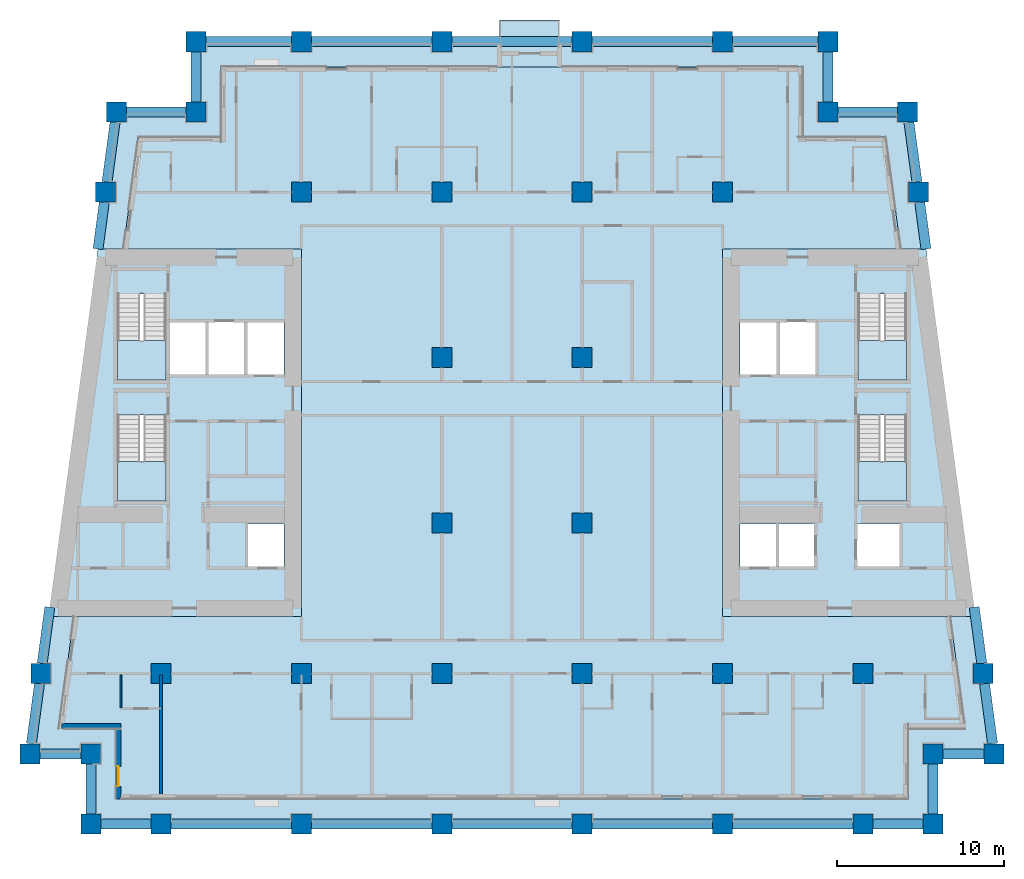
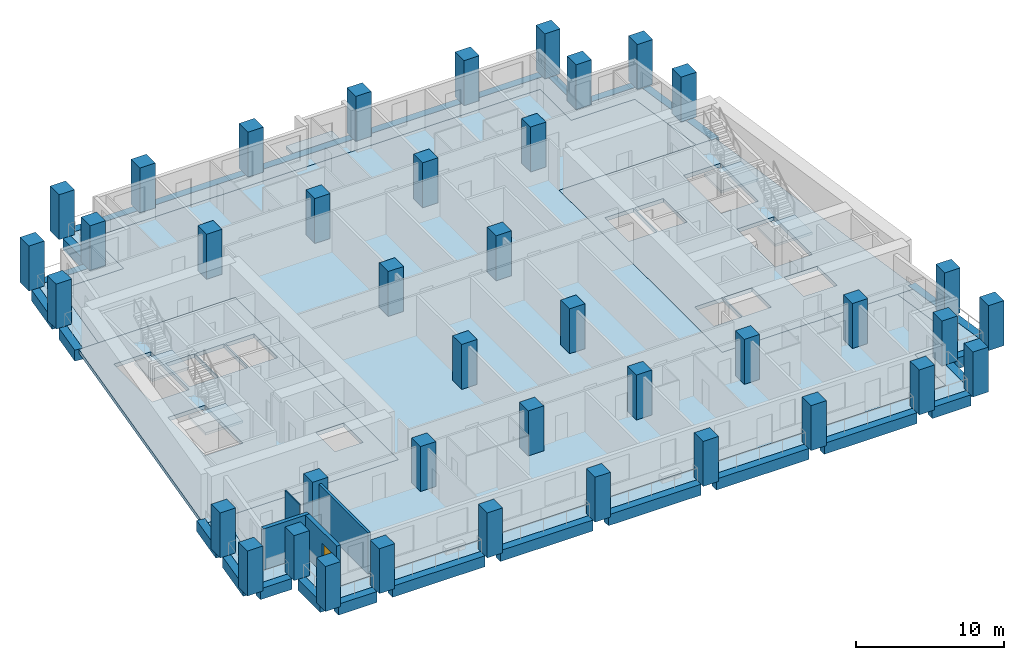
# One storey, part 1 of 13: 40 columns, 28 beams, 10 slabs, 4 walls, 1 door, 1 opening, 4 elements without a shape of their own.
"""IFC4 building model written with IfcOpenShell, lengths in metres."""

from ifc_helpers import new_model, si_unit, direction, frame, frame_2d, origin, origin_2d, place, context, subcontext, project, spatial, polyline, rectangle, outline, extrude, material, layer, layer_set, material_profile, profile_set, type_object, element, fill, aggregate, save


model = new_model("IFC4")

# Units and contexts
model_context = context("Model", 3, precision=1e-05, world=origin(), true_north=direction((0.0, 1.0)))
body_context = subcontext(model_context, "Body", "Model", "MODEL_VIEW")
ifc_project = project(units=[si_unit("LENGTHUNIT", "METRE"), si_unit("AREAUNIT", "SQUARE_METRE"), si_unit("VOLUMEUNIT", "CUBIC_METRE"), si_unit("PLANEANGLEUNIT", "RADIAN"), si_unit("MASSUNIT", "GRAM", prefix="KILO")], contexts=[model_context])

# Site, building, storey
site_placement = place(None, origin())
site = spatial("IfcSite", under=ifc_project, at=site_placement, CompositionType="ELEMENT")
building_placement = place(site_placement, origin())
building = spatial("IfcBuilding", under=site, at=building_placement, Name="Candeia Pilgrim Tower and Theatre", CompositionType="ELEMENT")
storey_placement = place(building_placement, frame((0.0, 0.0, 109.5)))
storey = spatial("IfcBuildingStorey", under=building, at=storey_placement, Name="L25", CompositionType="ELEMENT", Elevation=109.5)

# Columns
ifc_material_1 = material(Name="Concrete C70/85", Category="concrete")
ifc_material_profile_1 = material_profile(ifc_material_1, rectangle(XDim=1.199951171875, YDim=1.199951171875, at=origin_2d()))
ifc_profile_set_1 = profile_set([ifc_material_profile_1], Name="Concrete C70/85")
column_type = type_object("IfcColumnType", Name="RC 1200x1200 C70/85", PredefinedType="COLUMN", material=ifc_profile_set_1)
for number, where, z_axis, x_axis, name in (
    (1, (92.39990234375, 98.0, 0.0), (0.0, 0.0, 1.0), (1.0, 0.0, 0.0), "Column A1"),
    (2, (100.800048828125, 98.0, 0.0), (0.0, 0.0, 1.0), (1.0, 0.0, 0.0), "Column A2"),
    (3, (109.199951171875, 98.0, 0.0), (0.0, 0.0, 1.0), (1.0, 0.0, 0.0), "Column A3"),
    (4, (117.60009765625, 98.0, 0.0), (0.0, 0.0, 1.0), (1.0, 0.0, 0.0), "Column A4"),
    (5, (126.0, 98.0, 0.0), (0.0, 0.0, 1.0), (1.0, 0.0, 0.0), "Column A5"),
    (6, (134.39990234375, 98.0, 0.0), (0.0, 0.0, 1.0), (1.0, 0.0, 0.0), "Column A6"),
    (7, (88.199951171875, 98.0, 0.0), (0.0, 0.0, 1.0), (1.0, 0.0, 0.0), "Column AW"),
    (8, (138.60009765625, 98.0, 0.0), (0.0, 0.0, 1.0), (1.0, 0.0, 0.0), "Column AE"),
    (9, (88.199951171875, 102.199951171875, 0.0), (0.0, 0.0, 1.0), (1.0, 0.0, 0.0), "Column NSW"),
    (10, (138.60009765625, 102.199951171875, 0.0), (0.0, 0.0, 1.0), (1.0, 0.0, 0.0), "Column NSE"),
    (11, (94.5, 140.60009765625, 0.0), (0.0, 0.0, 1.0), (1.0, 0.0, 0.0), "Column NNW"),
    (12, (132.300048828125, 140.60009765625, 0.0), (0.0, 0.0, 1.0), (1.0, 0.0, 0.0), "Column NNE"),
    (13, (84.5654296875, 102.199951171875, 0.0), (0.0, 0.0, 1.0), (1.0, 0.0, 0.0), "Column LSW"),
    (14, (142.234619140625, 102.199951171875, 0.0), (0.0, 0.0, 1.0), (1.0, 0.0, 0.0), "Column LSE"),
    (15, (89.734619140625, 140.60009765625, 0.0), (0.0, 0.0, 1.0), (1.0, 0.0, 0.0), "Column LNW"),
    (16, (137.0654296875, 140.60009765625, 0.0), (0.0, 0.0, 1.0), (1.0, 0.0, 0.0), "Column LNE"),
    (17, (92.39990234375, 107.0, 0.0), (0.0, 0.0, 1.0), (1.0, 0.0, 0.0), "Column B1"),
    (18, (100.800048828125, 107.0, 0.0), (0.0, 0.0, 1.0), (1.0, 0.0, 0.0), "Column B2"),
    (19, (109.199951171875, 107.0, 0.0), (0.0, 0.0, 1.0), (1.0, 0.0, 0.0), "Column B3"),
    (20, (117.60009765625, 107.0, 0.0), (0.0, 0.0, 1.0), (1.0, 0.0, 0.0), "Column B4"),
    (21, (126.0, 107.0, 0.0), (0.0, 0.0, 1.0), (1.0, 0.0, 0.0), "Column B5"),
    (22, (134.39990234375, 107.0, 0.0), (0.0, 0.0, 1.0), (1.0, 0.0, 0.0), "Column B6"),
    (23, (85.21142578125, 107.0, 0.0), (0.0, 0.0, 1.0), (1.0, 0.0, 0.0), "Column BW"),
    (24, (141.58837890625, 107.0, 0.0), (0.0, 0.0, 1.0), (1.0, 0.0, 0.0), "Column BE"),
    (25, (109.199951171875, 116.0, 0.0), (0.0, 0.0, 1.0), (1.0, 0.0, 0.0), "Column C3"),
    (26, (117.60009765625, 116.0, 0.0), (0.0, 0.0, 1.0), (1.0, 0.0, 0.0), "Column C4"),
    (27, (109.199951171875, 125.89990234375, 0.0), (0.0, 0.0, 1.0), (1.0, 0.0, 0.0), "Column D3"),
    (28, (117.60009765625, 125.89990234375, 0.0), (0.0, 0.0, 1.0), (1.0, 0.0, 0.0), "Column D4"),
    (29, (100.800048828125, 135.800048828125, 0.0), (0.0, 0.0, 1.0), (1.0, 0.0, 0.0), "Column E2"),
    (30, (109.199951171875, 135.800048828125, 0.0), (0.0, 0.0, 1.0), (1.0, 0.0, 0.0), "Column E3"),
    (31, (117.60009765625, 135.800048828125, 0.0), (0.0, 0.0, 1.0), (1.0, 0.0, 0.0), "Column E4"),
    (32, (126.0, 135.800048828125, 0.0), (0.0, 0.0, 1.0), (1.0, 0.0, 0.0), "Column E5"),
    (33, (89.08837890625, 135.800048828125, 0.0), (0.0, 0.0, 1.0), (1.0, 0.0, 0.0), "Column EW"),
    (34, (137.71142578125, 135.800048828125, 0.0), (0.0, 0.0, 1.0), (1.0, 0.0, 0.0), "Column EE"),
    (35, (100.800048828125, 144.800048828125, 0.0), (0.0, 0.0, 1.0), (1.0, 0.0, 0.0), "Column F2"),
    (36, (109.199951171875, 144.800048828125, 0.0), (0.0, 0.0, 1.0), (1.0, 0.0, 0.0), "Column F3"),
    (37, (117.60009765625, 144.800048828125, 0.0), (0.0, 0.0, 1.0), (1.0, 0.0, 0.0), "Column F4"),
    (38, (126.0, 144.800048828125, 0.0), (0.0, 0.0, 1.0), (1.0, 0.0, 0.0), "Column F5"),
    (39, (94.5, 144.800048828125, 0.0), (0.0, 0.0, 1.0), (1.0, 0.0, 0.0), "Column FW"),
    (40, (132.300048828125, 144.800048828125, 0.0), (0.0, 0.0, 1.0), (1.0, 0.0, 0.0), "Column FE"),
):
    element("IfcColumn", number, at=place(storey_placement, frame(where, z_axis=z_axis, x_axis=x_axis)), inside=storey, type_object=column_type, Name=name, PredefinedType="COLUMN", context=body_context, shape_type="SweptSolid", body=[
        extrude(rectangle(XDim=1.199951171875, YDim=1.199951171875, at=origin_2d()), origin(), (0.0, 0.0, 1.0), 3.699951171875),
    ])

# Beams
ifc_material_profile_2 = material_profile(ifc_material_1, rectangle(XDim=0.60009765625, YDim=0.89990234375, at=origin_2d()))
ifc_profile_set_2 = profile_set([ifc_material_profile_2], Name="Concrete C70/85")
beam_type = type_object("IfcBeamType", Name="RC 600x900 C70/85", PredefinedType="BEAM", material=ifc_profile_set_2)
beam_1_placement = place(storey_placement, frame((88.800048828125, 98.0, -0.449951171875), z_axis=(1.0, 0.0, 0.0), x_axis=(0.0, 1.0, 0.0)))
element("IfcBeam", 41, at=beam_1_placement, inside=storey, type_object=beam_type, Name="Spandrel beam L25-01", PredefinedType="BEAM", context=body_context, shape_type="SweptSolid", body=[
    extrude(rectangle(XDim=0.60009765625, YDim=0.89990234375, at=origin_2d()), origin(), (0.0, 0.0, 1.0), 3.0),
])
beam_2_placement = place(storey_placement, frame((93.0, 98.0, -0.449951171875), z_axis=(1.0, 0.0, 0.0), x_axis=(0.0, 1.0, 0.0)))
element("IfcBeam", 42, at=beam_2_placement, inside=storey, type_object=beam_type, Name="Spandrel beam L25-02", PredefinedType="BEAM", context=body_context, shape_type="SweptSolid", body=[
    extrude(rectangle(XDim=0.60009765625, YDim=0.89990234375, at=origin_2d()), origin(), (0.0, 0.0, 1.0), 7.199951171875),
])
beam_3_placement = place(storey_placement, frame((101.39990234375, 98.0, -0.449951171875), z_axis=(1.0, 0.0, 0.0), x_axis=(0.0, 1.0, 0.0)))
element("IfcBeam", 43, at=beam_3_placement, inside=storey, type_object=beam_type, Name="Spandrel beam L25-03", PredefinedType="BEAM", context=body_context, shape_type="SweptSolid", body=[
    extrude(rectangle(XDim=0.60009765625, YDim=0.89990234375, at=origin_2d()), origin(), (0.0, 0.0, 1.0), 7.2001953125),
])
for number, where, z_axis, x_axis, name in (
    (44, (109.800048828125, 98.0, -0.449951171875), (1.0, 0.0, 0.0), (0.0, 1.0, 0.0), "Spandrel beam L25-04"),
    (45, (118.199951171875, 98.0, -0.449951171875), (1.0, 0.0, 0.0), (0.0, 1.0, 0.0), "Spandrel beam L25-05"),
    (46, (126.60009765625, 98.0, -0.449951171875), (1.0, 0.0, 0.0), (0.0, 1.0, 0.0), "Spandrel beam L25-06"),
):
    element("IfcBeam", number, at=place(storey_placement, frame(where, z_axis=z_axis, x_axis=x_axis)), inside=storey, type_object=beam_type, Name=name, PredefinedType="BEAM", context=body_context, shape_type="SweptSolid", body=[
        extrude(rectangle(XDim=0.60009765625, YDim=0.89990234375, at=origin_2d()), origin(), (0.0, 0.0, 1.0), 7.199951171875),
    ])
for number, where, z_axis, x_axis, name in (
    (47, (135.0, 98.0, -0.449951171875), (1.0, 0.0, 0.0), (0.0, 1.0, 0.0), "Spandrel beam L25-07"),
    (48, (138.60009765625, 98.60009765625, -0.449951171875), (0.0, 1.0, 0.0), (-1.0, 0.0, 0.0), "Spandrel beam L25-08"),
):
    element("IfcBeam", number, at=place(storey_placement, frame(where, z_axis=z_axis, x_axis=x_axis)), inside=storey, type_object=beam_type, Name=name, PredefinedType="BEAM", context=body_context, shape_type="SweptSolid", body=[
        extrude(rectangle(XDim=0.60009765625, YDim=0.89990234375, at=origin_2d()), origin(), (0.0, 0.0, 1.0), 3.0),
    ])
beam_4_placement = place(storey_placement, frame((139.199951171875, 102.199951171875, -0.449951171875), z_axis=(1.0, 0.0, 0.0), x_axis=(0.0, 1.0, 0.0)))
element("IfcBeam", 49, at=beam_4_placement, inside=storey, type_object=beam_type, Name="Spandrel beam L25-09", PredefinedType="BEAM", context=body_context, shape_type="SweptSolid", body=[
    extrude(rectangle(XDim=0.60009765625, YDim=0.89990234375, at=origin_2d()), origin(), (0.0, 0.0, 1.0), 2.4345703125),
])
beam_5_placement = place(storey_placement, frame((142.15380859375, 102.800048828125, -0.449951171875), z_axis=(-0.133418359924, 0.991059807093, 0.0), x_axis=(-0.991059807093, -0.133418359924, 0.0)))
element("IfcBeam", 50, at=beam_5_placement, inside=storey, type_object=beam_type, Name="Spandrel beam L25-10", PredefinedType="BEAM", context=body_context, shape_type="SweptSolid", body=[
    extrude(rectangle(XDim=0.60009765625, YDim=0.89990234375, at=origin_2d()), origin(), (0.0, 0.0, 1.0), 3.63232421875),
])
beam_6_placement = place(storey_placement, frame((141.5078125, 107.60009765625, -0.449951171875), z_axis=(-0.133458165992, 0.99105444751, 0.0), x_axis=(-0.99105444751, -0.133458165992, 0.0)))
element("IfcBeam", 51, at=beam_6_placement, inside=storey, type_object=beam_type, Name="Spandrel beam L25-11", PredefinedType="BEAM", context=body_context, shape_type="SweptSolid", body=[
    extrude(rectangle(XDim=0.60009765625, YDim=0.89990234375, at=origin_2d()), origin(), (0.0, 0.0, 1.0), 3.39697265625),
])
beam_7_placement = place(storey_placement, frame((138.169189453125, 132.39990234375, -0.449951171875), z_axis=(-0.133420173099, 0.991059562998, 0.0), x_axis=(-0.991059562998, -0.133420173099, 0.0)))
element("IfcBeam", 52, at=beam_7_placement, inside=storey, type_object=beam_type, Name="Spandrel beam L25-12", PredefinedType="BEAM", context=body_context, shape_type="SweptSolid", body=[
    extrude(rectangle(XDim=0.60009765625, YDim=0.89990234375, at=origin_2d()), origin(), (0.0, 0.0, 1.0), 2.8251953125),
])
beam_8_placement = place(storey_placement, frame((137.630859375, 136.39990234375, -0.449951171875), z_axis=(-0.133409473196, 0.991061003401, 0.0), x_axis=(-0.991061003401, -0.133409473196, 0.0)))
element("IfcBeam", 53, at=beam_8_placement, inside=storey, type_object=beam_type, Name="Spandrel beam L25-13", PredefinedType="BEAM", context=body_context, shape_type="SweptSolid", body=[
    extrude(rectangle(XDim=0.60009765625, YDim=0.89990234375, at=origin_2d()), origin(), (0.0, 0.0, 1.0), 3.632568359375),
])
beam_9_placement = place(storey_placement, frame((136.46533203125, 140.60009765625, -0.449951171875), z_axis=(-1.0, 0.0, 0.0), x_axis=(0.0, -1.0, 0.0)))
element("IfcBeam", 54, at=beam_9_placement, inside=storey, type_object=beam_type, Name="Spandrel beam L25-14", PredefinedType="BEAM", context=body_context, shape_type="SweptSolid", body=[
    extrude(rectangle(XDim=0.60009765625, YDim=0.89990234375, at=origin_2d()), origin(), (0.0, 0.0, 1.0), 3.5654296875),
])
beam_10_placement = place(storey_placement, frame((132.300048828125, 141.199951171875, -0.449951171875), z_axis=(0.0, 1.0, 0.0), x_axis=(-1.0, 0.0, 0.0)))
element("IfcBeam", 55, at=beam_10_placement, inside=storey, type_object=beam_type, Name="Spandrel beam L25-15", PredefinedType="BEAM", context=body_context, shape_type="SweptSolid", body=[
    extrude(rectangle(XDim=0.60009765625, YDim=0.89990234375, at=origin_2d()), origin(), (0.0, 0.0, 1.0), 3.0),
])
beam_11_placement = place(storey_placement, frame((131.699951171875, 144.800048828125, -0.449951171875), z_axis=(-1.0, 0.0, 0.0), x_axis=(0.0, -1.0, 0.0)))
element("IfcBeam", 56, at=beam_11_placement, inside=storey, type_object=beam_type, Name="Spandrel beam L25-16", PredefinedType="BEAM", context=body_context, shape_type="SweptSolid", body=[
    extrude(rectangle(XDim=0.60009765625, YDim=0.89990234375, at=origin_2d()), origin(), (0.0, 0.0, 1.0), 5.099853515625),
])
for number, where, z_axis, x_axis, name in (
    (57, (125.39990234375, 144.800048828125, -0.449951171875), (-1.0, 0.0, 0.0), (0.0, -1.0, 0.0), "Spandrel beam L25-17"),
    (58, (117.0, 144.800048828125, -0.449951171875), (-1.0, 0.0, 0.0), (0.0, -1.0, 0.0), "Spandrel beam L25-18"),
):
    element("IfcBeam", number, at=place(storey_placement, frame(where, z_axis=z_axis, x_axis=x_axis)), inside=storey, type_object=beam_type, Name=name, PredefinedType="BEAM", context=body_context, shape_type="SweptSolid", body=[
        extrude(rectangle(XDim=0.60009765625, YDim=0.89990234375, at=origin_2d()), origin(), (0.0, 0.0, 1.0), 7.199951171875),
    ])
beam_12_placement = place(storey_placement, frame((108.60009765625, 144.800048828125, -0.449951171875), z_axis=(-1.0, 0.0, 0.0), x_axis=(0.0, -1.0, 0.0)))
element("IfcBeam", 59, at=beam_12_placement, inside=storey, type_object=beam_type, Name="Spandrel beam L25-19", PredefinedType="BEAM", context=body_context, shape_type="SweptSolid", body=[
    extrude(rectangle(XDim=0.60009765625, YDim=0.89990234375, at=origin_2d()), origin(), (0.0, 0.0, 1.0), 7.2001953125),
])
beam_13_placement = place(storey_placement, frame((100.199951171875, 144.800048828125, -0.449951171875), z_axis=(-1.0, 0.0, 0.0), x_axis=(0.0, -1.0, 0.0)))
element("IfcBeam", 60, at=beam_13_placement, inside=storey, type_object=beam_type, Name="Spandrel beam L25-20", PredefinedType="BEAM", context=body_context, shape_type="SweptSolid", body=[
    extrude(rectangle(XDim=0.60009765625, YDim=0.89990234375, at=origin_2d()), origin(), (0.0, 0.0, 1.0), 5.099853515625),
])
beam_14_placement = place(storey_placement, frame((94.5, 144.199951171875, -0.449951171875), z_axis=(0.0, -1.0, 0.0), x_axis=(1.0, 0.0, 0.0)))
element("IfcBeam", 61, at=beam_14_placement, inside=storey, type_object=beam_type, Name="Spandrel beam L25-21", PredefinedType="BEAM", context=body_context, shape_type="SweptSolid", body=[
    extrude(rectangle(XDim=0.60009765625, YDim=0.89990234375, at=origin_2d()), origin(), (0.0, 0.0, 1.0), 3.0),
])
beam_15_placement = place(storey_placement, frame((93.89990234375, 140.60009765625, -0.449951171875), z_axis=(-1.0, 0.0, 0.0), x_axis=(0.0, -1.0, 0.0)))
element("IfcBeam", 62, at=beam_15_placement, inside=storey, type_object=beam_type, Name="Spandrel beam L25-22", PredefinedType="BEAM", context=body_context, shape_type="SweptSolid", body=[
    extrude(rectangle(XDim=0.60009765625, YDim=0.89990234375, at=origin_2d()), origin(), (0.0, 0.0, 1.0), 3.565185546875),
])
beam_16_placement = place(storey_placement, frame((89.65380859375, 140.0, -0.449951171875), z_axis=(-0.133409473196, -0.991061003401, 0.0), x_axis=(0.991061003401, -0.133409473196, 0.0)))
element("IfcBeam", 63, at=beam_16_placement, inside=storey, type_object=beam_type, Name="Spandrel beam L25-23", PredefinedType="BEAM", context=body_context, shape_type="SweptSolid", body=[
    extrude(rectangle(XDim=0.60009765625, YDim=0.89990234375, at=origin_2d()), origin(), (0.0, 0.0, 1.0), 3.632568359375),
])
beam_17_placement = place(storey_placement, frame((89.0078125, 135.199951171875, -0.449951171875), z_axis=(-0.133420173099, -0.991059562998, 0.0), x_axis=(0.991059562998, -0.133420173099, 0.0)))
element("IfcBeam", 64, at=beam_17_placement, inside=storey, type_object=beam_type, Name="Spandrel beam L25-24", PredefinedType="BEAM", context=body_context, shape_type="SweptSolid", body=[
    extrude(rectangle(XDim=0.60009765625, YDim=0.89990234375, at=origin_2d()), origin(), (0.0, 0.0, 1.0), 2.8251953125),
])
beam_18_placement = place(storey_placement, frame((85.74560546875, 110.966796875, -0.449951171875), z_axis=(-0.133458165992, -0.99105444751, 0.0), x_axis=(0.99105444751, -0.133458165992, 0.0)))
element("IfcBeam", 65, at=beam_18_placement, inside=storey, type_object=beam_type, Name="Spandrel beam L25-25", PredefinedType="BEAM", context=body_context, shape_type="SweptSolid", body=[
    extrude(rectangle(XDim=0.60009765625, YDim=0.89990234375, at=origin_2d()), origin(), (0.0, 0.0, 1.0), 3.39697265625),
])
beam_19_placement = place(storey_placement, frame((85.130859375, 106.39990234375, -0.449951171875), z_axis=(-0.133418359924, -0.991059807093, 0.0), x_axis=(0.991059807093, -0.133418359924, 0.0)))
element("IfcBeam", 66, at=beam_19_placement, inside=storey, type_object=beam_type, Name="Spandrel beam L25-26", PredefinedType="BEAM", context=body_context, shape_type="SweptSolid", body=[
    extrude(rectangle(XDim=0.60009765625, YDim=0.89990234375, at=origin_2d()), origin(), (0.0, 0.0, 1.0), 3.63232421875),
])
beam_20_placement = place(storey_placement, frame((85.165283203125, 102.199951171875, -0.449951171875), z_axis=(1.0, 0.0, 0.0), x_axis=(0.0, 1.0, 0.0)))
element("IfcBeam", 67, at=beam_20_placement, inside=storey, type_object=beam_type, Name="Spandrel beam L25-27", PredefinedType="BEAM", context=body_context, shape_type="SweptSolid", body=[
    extrude(rectangle(XDim=0.60009765625, YDim=0.89990234375, at=origin_2d()), origin(), (0.0, 0.0, 1.0), 2.434814453125),
])
beam_21_placement = place(storey_placement, frame((88.199951171875, 101.60009765625, -0.449951171875), z_axis=(0.0, -1.0, 0.0), x_axis=(1.0, 0.0, 0.0)))
element("IfcBeam", 68, at=beam_21_placement, inside=storey, type_object=beam_type, Name="Spandrel beam L25-28", PredefinedType="BEAM", context=body_context, shape_type="SweptSolid", body=[
    extrude(rectangle(XDim=0.60009765625, YDim=0.89990234375, at=origin_2d()), origin(), (0.0, 0.0, 1.0), 3.0),
])

# Slabs
ifc_material_2 = material(Name="Concrete C40/50", Category="concrete")
ifc_layer_1 = layer(ifc_material_2, 0.25)
ifc_layer_set_1 = layer_set([ifc_layer_1], Name="BK1 balcony slab 250")
slab_type_1 = type_object("IfcSlabType", Name="BK1 balcony slab 250", PredefinedType="USERDEFINED", material=ifc_layer_set_1)
slab_1_placement = place(storey_placement, frame((0.0, 0.0, -0.25)))
element("IfcSlab", 69, at=slab_1_placement, inside=storey, type_object=slab_type_1, Name="Balcony L25", ObjectType="BALCONY", PredefinedType="USERDEFINED", context=body_context, shape_type="SweptSolid", body=[
    extrude(outline(polyline([(112.64990234375, 144.5), (116.25, 144.5), (116.25, 146.10009765625), (112.64990234375, 146.10009765625), (112.64990234375, 144.5)])), origin(), (0.0, 0.0, 1.0), 0.25),
])
ifc_material_3 = material(Name="Concrete C60/75", Category="concrete")
ifc_layer_2 = layer(ifc_material_3, 0.320068359375)
ifc_layer_set_2 = layer_set([ifc_layer_2], Name="FS-CORE 320 core floor")
slab_type_2 = type_object("IfcSlabType", Name="FS-CORE 320 core floor", PredefinedType="FLOOR", material=ifc_layer_set_2)
slab_2_placement = place(storey_placement, frame((0.0, 0.0, -0.320068359375)))
element("IfcSlab", 70, at=slab_2_placement, inside=storey, type_object=slab_type_2, Name="Core floor W L25", PredefinedType="FLOOR", context=body_context, shape_type="SweptSolid", body=[
    extrude(outline(polyline([(100.800048828125, 132.39990234375), (100.800048828125, 110.39990234375), (85.669189453125, 110.39990234375), (88.630859375, 132.39990234375), (100.800048828125, 132.39990234375)]), holes=[polyline([(97.525634765625, 128.050048828125), (97.525634765625, 124.85009765625), (99.75, 124.85009765625), (99.75, 128.050048828125), (97.525634765625, 128.050048828125)]), polyline([(97.5634765625, 113.35009765625), (99.75, 113.35009765625), (99.75, 115.949951171875), (97.5634765625, 115.949951171875), (97.5634765625, 113.35009765625)]), polyline([(95.201416015625, 124.85009765625), (97.42578125, 124.85009765625), (97.42578125, 128.050048828125), (95.201416015625, 128.050048828125), (95.201416015625, 124.85009765625)]), polyline([(92.876953125, 128.050048828125), (92.876953125, 124.85009765625), (95.101318359375, 124.85009765625), (95.101318359375, 128.050048828125), (92.876953125, 128.050048828125)]), polyline([(89.802001953125, 122.455078125), (89.802001953125, 117.324951171875), (92.701904296875, 117.324951171875), (92.701904296875, 122.455078125), (89.802001953125, 122.455078125)]), polyline([(89.802001953125, 129.705078125), (89.802001953125, 124.574951171875), (92.701904296875, 124.574951171875), (92.701904296875, 129.705078125), (89.802001953125, 129.705078125)])]), origin(), (0.0, 0.0, 1.0), 0.320068359375),
])
slab_3_placement = place(storey_placement, frame((0.0, 0.0, -0.320068359375)))
element("IfcSlab", 71, at=slab_3_placement, inside=storey, type_object=slab_type_2, Name="Core floor E L25", PredefinedType="FLOOR", context=body_context, shape_type="SweptSolid", body=[
    extrude(outline(polyline([(138.169189453125, 132.39990234375), (141.130859375, 110.39990234375), (126.0, 110.39990234375), (126.0, 132.39990234375), (138.169189453125, 132.39990234375)]), holes=[polyline([(134.097900390625, 122.455078125), (134.097900390625, 117.324951171875), (136.998046875, 117.324951171875), (136.998046875, 122.455078125), (134.097900390625, 122.455078125)]), polyline([(134.097900390625, 129.705078125), (134.097900390625, 124.574951171875), (136.998046875, 124.574951171875), (136.998046875, 129.705078125), (134.097900390625, 129.705078125)]), polyline([(136.6220703125, 115.949951171875), (134.02294921875, 115.949951171875), (134.02294921875, 113.35009765625), (136.6220703125, 113.35009765625), (136.6220703125, 115.949951171875)]), polyline([(131.5986328125, 128.050048828125), (129.374267578125, 128.050048828125), (129.374267578125, 124.85009765625), (131.5986328125, 124.85009765625), (131.5986328125, 128.050048828125)]), polyline([(131.52294921875, 115.949951171875), (129.33642578125, 115.949951171875), (129.33642578125, 113.35009765625), (131.52294921875, 113.35009765625), (131.52294921875, 115.949951171875)]), polyline([(129.2744140625, 128.050048828125), (127.050048828125, 128.050048828125), (127.050048828125, 124.85009765625), (129.2744140625, 124.85009765625), (129.2744140625, 128.050048828125)]), polyline([(127.050048828125, 115.949951171875), (127.050048828125, 113.35009765625), (129.236572265625, 113.35009765625), (129.236572265625, 115.949951171875), (127.050048828125, 115.949951171875)])]), origin(), (0.0, 0.0, 1.0), 0.320068359375),
])
ifc_material_4 = material(Name="Concrete C50/60", Category="concrete")
ifc_layer_3 = layer(ifc_material_4, 0.320068359375)
ifc_layer_set_3 = layer_set([ifc_layer_3], Name="Floor slab 320 C50/60")
slab_type_3 = type_object("IfcSlabType", Name="Floor slab 320 C50/60", PredefinedType="FLOOR", material=ifc_layer_set_3)
slab_4_placement = place(storey_placement, frame((0.0, 0.0, -0.320068359375)))
element("IfcSlab", 72, at=slab_4_placement, inside=storey, type_object=slab_type_3, Name="Floor slab L25", PredefinedType="FLOOR", context=body_context, shape_type="SweptSolid", body=[
    extrude(outline(polyline([(96.0, 139.10009765625), (96.0, 143.300048828125), (130.800048828125, 143.300048828125), (130.800048828125, 139.10009765625), (135.753662109375, 139.10009765625), (136.65576171875, 132.39990234375), (126.0, 132.39990234375), (126.0, 110.39990234375), (139.6171875, 110.39990234375), (140.51904296875, 103.699951171875), (137.10009765625, 103.699951171875), (137.10009765625, 99.5), (89.699951171875, 99.5), (89.699951171875, 103.699951171875), (86.28076171875, 103.699951171875), (87.182861328125, 110.39990234375), (100.800048828125, 110.39990234375), (100.800048828125, 132.39990234375), (90.144287109375, 132.39990234375), (91.046142578125, 139.10009765625), (96.0, 139.10009765625)])), origin(), (0.0, 0.0, 1.0), 0.320068359375),
])
ifc_layer_4 = layer(ifc_material_2, 0.25)
ifc_layer_set_4 = layer_set([ifc_layer_4], Name="Loggia slab 250 C40/50")
slab_type_4 = type_object("IfcSlabType", Name="Loggia slab 250 C40/50", PredefinedType="FLOOR", material=ifc_layer_set_4)
slab_5_placement = place(storey_placement, frame((0.0, 0.0, -0.25)))
element("IfcSlab", 73, at=slab_5_placement, inside=storey, type_object=slab_type_4, Name="Loggia slab L25 1", PredefinedType="FLOOR", context=body_context, shape_type="SweptSolid", body=[
    extrude(outline(polyline([(87.182861328125, 110.39990234375), (86.28076171875, 103.699951171875), (89.699951171875, 103.699951171875), (89.699951171875, 99.5), (137.10009765625, 99.5), (137.10009765625, 103.699951171875), (140.51904296875, 103.699951171875), (139.6171875, 110.39990234375), (140.828125, 110.39990234375), (141.8916015625, 102.5), (138.300048828125, 102.5), (138.300048828125, 98.300048828125), (88.5, 98.300048828125), (88.5, 102.5), (84.908447265625, 102.5), (85.971923828125, 110.39990234375), (87.182861328125, 110.39990234375)])), origin(), (0.0, 0.0, 1.0), 0.25),
])
slab_6_placement = place(storey_placement, frame((0.0, 0.0, -0.25)))
element("IfcSlab", 74, at=slab_6_placement, inside=storey, type_object=slab_type_4, Name="Loggia slab L25 2", PredefinedType="FLOOR", context=body_context, shape_type="SweptSolid", body=[
    extrude(outline(polyline([(136.65576171875, 132.39990234375), (135.753662109375, 139.10009765625), (130.800048828125, 139.10009765625), (130.800048828125, 143.300048828125), (96.0, 143.300048828125), (96.0, 139.10009765625), (91.046142578125, 139.10009765625), (90.144287109375, 132.39990234375), (88.93359375, 132.39990234375), (89.996826171875, 140.300048828125), (94.800048828125, 140.300048828125), (94.800048828125, 144.5), (132.0, 144.5), (132.0, 140.300048828125), (136.802978515625, 140.300048828125), (137.866455078125, 132.39990234375), (136.65576171875, 132.39990234375)])), origin(), (0.0, 0.0, 1.0), 0.25),
])

# Stair, slab
stair_type = type_object("IfcStairType", Name="ST-TWR dog-leg escape stair", PredefinedType="HALF_TURN_STAIR", material=ifc_material_2)
stair_1_placement = place(storey_placement, origin())
stair_1 = element("IfcStair", 75, at=stair_1_placement, inside=storey, type_object=stair_type, Name="L25 Escape stair ST1", PredefinedType="HALF_TURN_STAIR")
ifc_layer_5 = layer(ifc_material_2, 0.199951171875)
ifc_layer_set_5 = layer_set([ifc_layer_5], Name="SL-LANDING stair landing")
slab_type_5 = type_object("IfcSlabType", Name="SL-LANDING stair landing", PredefinedType="LANDING", material=ifc_layer_set_5)
slab_7_placement = place(storey_placement, frame((0.0, 0.0, 1.64990234375)))
slab_7 = element("IfcSlab", 76, at=slab_7_placement, type_object=slab_type_5, Name="ST1 landing 1", PredefinedType="LANDING", context=body_context, shape_type="SweptSolid", body=[
    extrude(outline(polyline([(89.802001953125, 119.675048828125), (89.802001953125, 117.324951171875), (92.701904296875, 117.324951171875), (92.701904296875, 119.675048828125), (89.802001953125, 119.675048828125)])), origin(), (0.0, 0.0, 1.0), 0.2001953125),
])
aggregate(stair_1, [slab_7])

stair_2_placement = place(storey_placement, origin())
stair_2 = element("IfcStair", 77, at=stair_2_placement, inside=storey, type_object=stair_type, Name="L25 Escape stair ST2", PredefinedType="HALF_TURN_STAIR")
slab_8_placement = place(storey_placement, frame((0.0, 0.0, 1.64990234375)))
slab_8 = element("IfcSlab", 78, at=slab_8_placement, type_object=slab_type_5, Name="ST2 landing 1", PredefinedType="LANDING", context=body_context, shape_type="SweptSolid", body=[
    extrude(outline(polyline([(89.802001953125, 126.925048828125), (89.802001953125, 124.574951171875), (92.701904296875, 124.574951171875), (92.701904296875, 126.925048828125), (89.802001953125, 126.925048828125)])), origin(), (0.0, 0.0, 1.0), 0.2001953125),
])
aggregate(stair_2, [slab_8])

stair_3_placement = place(storey_placement, origin())
stair_3 = element("IfcStair", 79, at=stair_3_placement, inside=storey, type_object=stair_type, Name="L25 Escape stair ST3", PredefinedType="HALF_TURN_STAIR")
slab_9_placement = place(storey_placement, frame((0.0, 0.0, 1.64990234375)))
slab_9 = element("IfcSlab", 80, at=slab_9_placement, type_object=slab_type_5, Name="ST3 landing 1", PredefinedType="LANDING", context=body_context, shape_type="SweptSolid", body=[
    extrude(outline(polyline([(134.097900390625, 119.675048828125), (134.097900390625, 117.324951171875), (136.998046875, 117.324951171875), (136.998046875, 119.675048828125), (134.097900390625, 119.675048828125)])), origin(), (0.0, 0.0, 1.0), 0.2001953125),
])
aggregate(stair_3, [slab_9])

stair_4_placement = place(storey_placement, origin())
stair_4 = element("IfcStair", 81, at=stair_4_placement, inside=storey, type_object=stair_type, Name="L25 Escape stair ST4", PredefinedType="HALF_TURN_STAIR")
slab_10_placement = place(storey_placement, frame((0.0, 0.0, 1.64990234375)))
slab_10 = element("IfcSlab", 82, at=slab_10_placement, type_object=slab_type_5, Name="ST4 landing 1", PredefinedType="LANDING", context=body_context, shape_type="SweptSolid", body=[
    extrude(outline(polyline([(134.097900390625, 126.925048828125), (134.097900390625, 124.574951171875), (136.998046875, 124.574951171875), (136.998046875, 126.925048828125), (134.097900390625, 126.925048828125)])), origin(), (0.0, 0.0, 1.0), 0.2001953125),
])
aggregate(stair_4, [slab_10])

# Wall
ifc_material_5 = material(Name="Ceramic block masonry", Category="masonry")
ifc_layer_6 = layer(ifc_material_5, 0.300048828125)
ifc_layer_set_6 = layer_set([ifc_layer_6], Name="EW1 glazing-line wall 300")
wall_type_1 = type_object("IfcWallType", Name="EW1 glazing-line wall 300", PredefinedType="SOLIDWALL", material=ifc_layer_set_6)
wall_1_placement = place(storey_placement, frame((86.452392578125, 103.85009765625, 0.0), z_axis=(0.0, 0.0, 1.0), x_axis=(1.0, 0.0, 0.0)))
element("IfcWall", 83, at=wall_1_placement, inside=storey, type_object=wall_type_1, Name="External wall L25-10.0", PredefinedType="SOLIDWALL", context=body_context, shape_type="SweptSolid", body=[
    extrude(rectangle(XDim=3.547607421875, YDim=0.300048828125, at=frame_2d((1.77392578125, 0.0))), origin(), (0.0, 0.0, 1.0), 3.3798828125),
])

# Wall, opening, door
wall_2_placement = place(storey_placement, frame((89.85009765625, 103.85009765625, 0.0), z_axis=(0.0, 0.0, 1.0), x_axis=(0.0, -1.0, 0.0)))
wall_2 = element("IfcWall", 84, at=wall_2_placement, inside=storey, type_object=wall_type_1, Name="External wall L25-11.0", PredefinedType="SOLIDWALL", context=body_context, shape_type="SweptSolid", body=[
    extrude(rectangle(XDim=4.35009765625, YDim=0.300048828125, at=frame_2d((2.175048828125, 0.0))), origin(), (0.0, 0.0, 1.0), 3.3798828125),
])
opening_placement = place(wall_2_placement, frame((2.39990234375, 0.0, 0.0)))
opening = element("IfcOpeningElement", 85, at=opening_placement, cuts=wall_2, Name="Opening L25-ED262", PredefinedType="OPENING", context=body_context, shape_type="SweptSolid", body=[
    extrude(rectangle(XDim=1.199951171875, YDim=2.39990234375, at=frame_2d((0.60009765625, 1.199951171875))), frame((0.0, 0.16015625, 0.0), z_axis=(0.0, -1.0, 0.0), x_axis=(1.0, 0.0, 0.0)), (0.0, 0.0, 1.0), 0.320068359375),
])
ifc_material_6 = material(Name="Aluminium framed glazed door", Category="aluminium")
door_type = type_object("IfcDoorType", Name="Loggia door 1200x2400", OperationType="DOUBLE_DOOR_SINGLE_SWING", PredefinedType="DOOR", material=ifc_material_6)
door_placement = place(opening_placement, origin())
door = element("IfcDoor", 86, at=door_placement, inside=storey, type_object=door_type, Name="Loggia door L25-ED262", OperationType="DOUBLE_DOOR_SINGLE_SWING", OverallHeight=2.39990234375, OverallWidth=1.199951171875, PredefinedType="DOOR", context=body_context, shape_type="SweptSolid", body=[
    extrude(rectangle(XDim=1.199951171875, YDim=2.39990234375, at=frame_2d((0.60009765625, 1.199951171875))), frame((0.0, 0.02490234375, 0.0), z_axis=(0.0, -1.0, 0.0), x_axis=(1.0, 0.0, 0.0)), (0.0, 0.0, 1.0), 0.050048828125),
])
fill(opening, door)

# Walls
ifc_material_7 = material(Name="Gypsum board partition on steel studs", Category="steel")
ifc_layer_7 = layer(ifc_material_7, 0.10009765625)
ifc_layer_set_7 = layer_set([ifc_layer_7], Name="PW-100 room partition")
wall_type_2 = type_object("IfcWallType", Name="PW-100 room partition", PredefinedType="PARTITIONING", material=ifc_layer_set_7)
wall_3_placement = place(storey_placement, frame((90.0, 104.949951171875, 0.0), z_axis=(0.0, 0.0, 1.0), x_axis=(0.0, 1.0, 0.0)))
element("IfcWall", 87, at=wall_3_placement, inside=storey, type_object=wall_type_2, Name="Room partition L25-051", PredefinedType="PARTITIONING", context=body_context, shape_type="SweptSolid", body=[
    extrude(rectangle(XDim=1.97509765625, YDim=0.10009765625, at=frame_2d((0.987548828125, 0.0))), origin(), (0.0, 0.0, 1.0), 3.3798828125),
])
ifc_layer_8 = layer(ifc_material_7, 0.199951171875)
ifc_layer_set_8 = layer_set([ifc_layer_8], Name="PW-200 party wall")
wall_type_3 = type_object("IfcWallType", Name="PW-200 party wall", PredefinedType="PARTITIONING", material=ifc_layer_set_8)
wall_4_placement = place(storey_placement, frame((92.39990234375, 99.7900390625, 0.0), z_axis=(0.0, 0.0, 1.0), x_axis=(0.0, 1.0, 0.0)))
element("IfcWall", 88, at=wall_4_placement, inside=storey, type_object=wall_type_3, Name="Party wall L25-053", PredefinedType="PARTITIONING", context=body_context, shape_type="SweptSolid", body=[
    extrude(rectangle(XDim=7.135009765625, YDim=0.199951171875, at=frame_2d((3.5673828125, 0.0))), origin(), (0.0, 0.0, 1.0), 3.3798828125),
])

save(model, "model.ifc")
